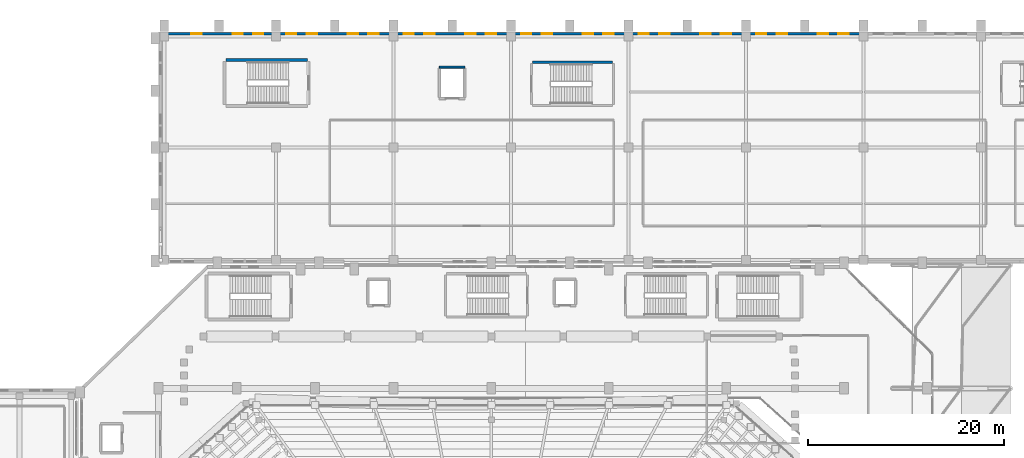
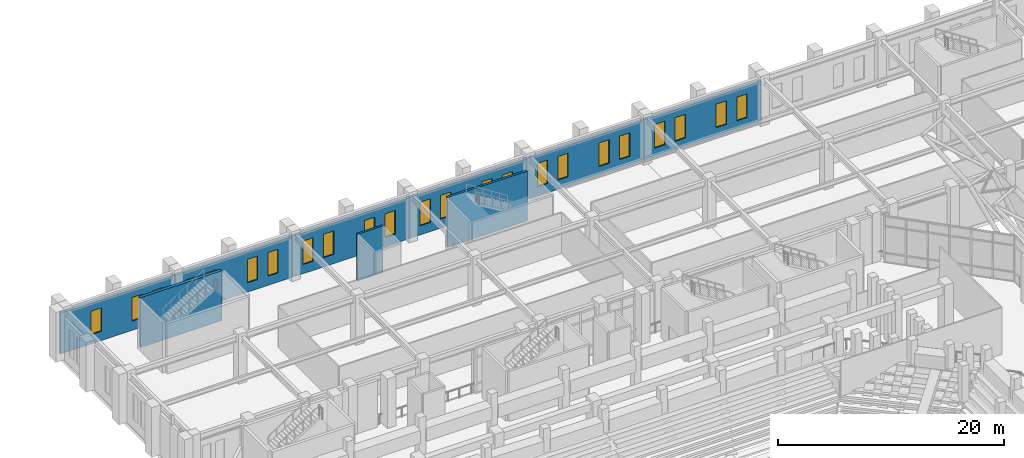
# One storey, part 137 of 159: 23 windows, 9 walls, 23 openings.
"""IFC4 building model written with IfcOpenShell, lengths in metres."""

from ifc_helpers import new_model, si_unit, derived_unit, direction, frame, frame_2d, origin, place, context, subcontext, project, spatial, rectangle, extrude, material, layer, layer_set, type_object, element, fill, save


model = new_model("IFC4")

# Units and contexts
model_context = context("Model", 3, precision=1e-05, world=origin(), true_north=direction((0.0, 1.0)))
body_context = subcontext(model_context, "Body", "Model", "MODEL_VIEW")
ifc_project = project(units=[si_unit("LENGTHUNIT", "METRE"), si_unit("AREAUNIT", "SQUARE_METRE"), si_unit("VOLUMEUNIT", "CUBIC_METRE"), si_unit("PLANEANGLEUNIT", "RADIAN"), si_unit("MASSUNIT", "GRAM", prefix="KILO"), derived_unit("THERMALTRANSMITTANCEUNIT", [(si_unit("MASSUNIT", "GRAM", prefix="KILO"), 1), (si_unit("TIMEUNIT", "SECOND"), -3), (si_unit("THERMODYNAMICTEMPERATUREUNIT", "KELVIN"), -1)])], contexts=[model_context])

# Site, building, storey
site_placement = place(None, origin())
site = spatial("IfcSite", under=ifc_project, at=site_placement, CompositionType="ELEMENT")
building_placement = place(site_placement, origin())
building = spatial("IfcBuilding", under=site, at=building_placement, Name="Valcora Ridge Arena", CompositionType="ELEMENT")
storey_placement = place(building_placement, frame((0.0, 0.0, 6.0)))
storey = spatial("IfcBuildingStorey", under=building, at=storey_placement, Name="L01", CompositionType="ELEMENT", Elevation=6.0)

# Wall, openings, windows
ifc_material_1 = material(Name="Bush-hammered Andean travertine on concrete backup C40/50", Category="masonry")
ifc_layer_1 = layer(ifc_material_1, 0.280029296875, Name="Bush-hammered Andean travertine on concrete backup C40/50")
ifc_layer_set_1 = layer_set([ifc_layer_1], Name="Bush-hammered Andean travertine on concrete backup C40/50")
wall_type_1 = type_object("IfcWallType", Name="TY-WALL-EW-TRV-28-44", PredefinedType="STANDARD", material=ifc_layer_set_1)
wall_1_placement = place(storey_placement, frame((24.219970703125, 131.820068359375, 0.0), z_axis=(0.0, 0.0, 1.0), x_axis=(1.0, 0.0, 0.0)))
wall_1 = element("IfcWall", 1, at=wall_1_placement, inside=storey, type_object=wall_type_1, Name="EW-TRV-28-44 WAL-EW-0136", PredefinedType="STANDARD", context=body_context, shape_type="SweptSolid", body=[
    extrude(rectangle(XDim=11.780029296875, YDim=0.280029296875, at=frame_2d((5.89013671875, 0.0))), origin(), (0.0, 0.0, 1.0), 4.427978515625),
])
opening_1_placement = place(wall_1_placement, frame((3.14990234375, 0.0, 1.0)))
opening_1 = element("IfcOpeningElement", 2, at=opening_1_placement, cuts=wall_1, Name="Opening W-LAN-105X255", PredefinedType="OPENING", context=body_context, shape_type="SweptSolid", body=[
    extrude(rectangle(XDim=1.050048828125, YDim=2.550048828125, at=frame_2d((0.52490234375, 1.27490234375))), frame((0.0, 0.14990234375, 0.0), z_axis=(0.0, -1.0, 0.0), x_axis=(1.0, 0.0, 0.0)), (0.0, 0.0, 1.0), 0.300048828125),
])
opening_2_placement = place(wall_1_placement, frame((7.35009765625, 0.0, 1.0)))
opening_2 = element("IfcOpeningElement", 3, at=opening_2_placement, cuts=wall_1, Name="Opening W-LAN-105X255", PredefinedType="OPENING", context=body_context, shape_type="SweptSolid", body=[
    extrude(rectangle(XDim=1.050048828125, YDim=2.550048828125, at=frame_2d((0.52490234375, 1.27490234375))), frame((0.0, 0.14990234375, 0.0), z_axis=(0.0, -1.0, 0.0), x_axis=(1.0, 0.0, 0.0)), (0.0, 0.0, 1.0), 0.300048828125),
])
opening_3_placement = place(wall_1_placement, frame((9.449951171875, 0.0, 1.0)))
opening_3 = element("IfcOpeningElement", 4, at=opening_3_placement, cuts=wall_1, Name="Opening W-LAN-105X255", PredefinedType="OPENING", context=body_context, shape_type="SweptSolid", body=[
    extrude(rectangle(XDim=1.050048828125, YDim=2.550048828125, at=frame_2d((0.52490234375, 1.27490234375))), frame((0.0, 0.14990234375, 0.0), z_axis=(0.0, -1.0, 0.0), x_axis=(1.0, 0.0, 0.0)), (0.0, 0.0, 1.0), 0.300048828125),
])
ifc_material_2 = material(Name="Low-iron solar-control double glazing SHGC 0.28", Category="glass")
window_type = type_object("IfcWindowType", Name="TY-WINDOW-W-LAN-105X255", PartitioningType="DOUBLE_PANEL_VERTICAL", PredefinedType="WINDOW", material=ifc_material_2)
window_1_placement = place(opening_1_placement, origin())
window_1 = element("IfcWindow", 5, at=window_1_placement, inside=storey, type_object=window_type, Name="W-LAN-105X255 WIN-EX-0404", OverallHeight=2.550048828125, OverallWidth=1.050048828125, PartitioningType="DOUBLE_PANEL_VERTICAL", PredefinedType="WINDOW", context=body_context, shape_type="SweptSolid", body=[
    extrude(rectangle(XDim=1.050048828125, YDim=2.550048828125, at=frame_2d((0.52490234375, 1.27490234375))), frame((0.0, 0.030029296875, 0.0), z_axis=(0.0, -1.0, 0.0), x_axis=(1.0, 0.0, 0.0)), (0.0, 0.0, 1.0), 0.06005859375),
])
fill(opening_1, window_1)
window_2_placement = place(opening_2_placement, origin())
window_2 = element("IfcWindow", 6, at=window_2_placement, inside=storey, type_object=window_type, Name="W-LAN-105X255 WIN-EX-0405", OverallHeight=2.550048828125, OverallWidth=1.050048828125, PartitioningType="DOUBLE_PANEL_VERTICAL", PredefinedType="WINDOW", context=body_context, shape_type="SweptSolid", body=[
    extrude(rectangle(XDim=1.050048828125, YDim=2.550048828125, at=frame_2d((0.52490234375, 1.27490234375))), frame((0.0, 0.030029296875, 0.0), z_axis=(0.0, -1.0, 0.0), x_axis=(1.0, 0.0, 0.0)), (0.0, 0.0, 1.0), 0.06005859375),
])
fill(opening_2, window_2)
window_3_placement = place(opening_3_placement, origin())
window_3 = element("IfcWindow", 7, at=window_3_placement, inside=storey, type_object=window_type, Name="W-LAN-105X255 WIN-EX-0406", OverallHeight=2.550048828125, OverallWidth=1.050048828125, PartitioningType="DOUBLE_PANEL_VERTICAL", PredefinedType="WINDOW", context=body_context, shape_type="SweptSolid", body=[
    extrude(rectangle(XDim=1.050048828125, YDim=2.550048828125, at=frame_2d((0.52490234375, 1.27490234375))), frame((0.0, 0.030029296875, 0.0), z_axis=(0.0, -1.0, 0.0), x_axis=(1.0, 0.0, 0.0)), (0.0, 0.0, 1.0), 0.06005859375),
])
fill(opening_3, window_3)

wall_2_placement = place(storey_placement, frame((36.0, 131.820068359375, 0.0), z_axis=(0.0, 0.0, 1.0), x_axis=(1.0, 0.0, 0.0)))
wall_2 = element("IfcWall", 8, at=wall_2_placement, inside=storey, type_object=wall_type_1, Name="EW-TRV-28-44 WAL-EW-0137", PredefinedType="STANDARD", context=body_context, shape_type="SweptSolid", body=[
    extrude(rectangle(XDim=12.0, YDim=0.280029296875, at=frame_2d((6.0, 0.0))), origin(), (0.0, 0.0, 1.0), 4.427978515625),
])
opening_4_placement = place(wall_2_placement, frame((1.050048828125, 0.0, 1.0)))
opening_4 = element("IfcOpeningElement", 9, at=opening_4_placement, cuts=wall_2, Name="Opening W-LAN-105X255", PredefinedType="OPENING", context=body_context, shape_type="SweptSolid", body=[
    extrude(rectangle(XDim=1.050048828125, YDim=2.550048828125, at=frame_2d((0.52490234375, 1.27490234375))), frame((0.0, 0.14990234375, 0.0), z_axis=(0.0, -1.0, 0.0), x_axis=(1.0, 0.0, 0.0)), (0.0, 0.0, 1.0), 0.300048828125),
])
opening_5_placement = place(wall_2_placement, frame((3.14990234375, 0.0, 1.0)))
opening_5 = element("IfcOpeningElement", 10, at=opening_5_placement, cuts=wall_2, Name="Opening W-LAN-105X255", PredefinedType="OPENING", context=body_context, shape_type="SweptSolid", body=[
    extrude(rectangle(XDim=1.050048828125, YDim=2.550048828125, at=frame_2d((0.52490234375, 1.27490234375))), frame((0.0, 0.14990234375, 0.0), z_axis=(0.0, -1.0, 0.0), x_axis=(1.0, 0.0, 0.0)), (0.0, 0.0, 1.0), 0.300048828125),
])
opening_6_placement = place(wall_2_placement, frame((7.35009765625, 0.0, 1.0)))
opening_6 = element("IfcOpeningElement", 11, at=opening_6_placement, cuts=wall_2, Name="Opening W-LAN-105X255", PredefinedType="OPENING", context=body_context, shape_type="SweptSolid", body=[
    extrude(rectangle(XDim=1.050048828125, YDim=2.550048828125, at=frame_2d((0.52490234375, 1.27490234375))), frame((0.0, 0.14990234375, 0.0), z_axis=(0.0, -1.0, 0.0), x_axis=(1.0, 0.0, 0.0)), (0.0, 0.0, 1.0), 0.300048828125),
])
opening_7_placement = place(wall_2_placement, frame((9.449951171875, 0.0, 1.0)))
opening_7 = element("IfcOpeningElement", 12, at=opening_7_placement, cuts=wall_2, Name="Opening W-LAN-105X255", PredefinedType="OPENING", context=body_context, shape_type="SweptSolid", body=[
    extrude(rectangle(XDim=1.050048828125, YDim=2.550048828125, at=frame_2d((0.52490234375, 1.27490234375))), frame((0.0, 0.14990234375, 0.0), z_axis=(0.0, -1.0, 0.0), x_axis=(1.0, 0.0, 0.0)), (0.0, 0.0, 1.0), 0.300048828125),
])
window_4_placement = place(opening_4_placement, origin())
window_4 = element("IfcWindow", 13, at=window_4_placement, inside=storey, type_object=window_type, Name="W-LAN-105X255 WIN-EX-0407", OverallHeight=2.550048828125, OverallWidth=1.050048828125, PartitioningType="DOUBLE_PANEL_VERTICAL", PredefinedType="WINDOW", context=body_context, shape_type="SweptSolid", body=[
    extrude(rectangle(XDim=1.050048828125, YDim=2.550048828125, at=frame_2d((0.52490234375, 1.27490234375))), frame((0.0, 0.030029296875, 0.0), z_axis=(0.0, -1.0, 0.0), x_axis=(1.0, 0.0, 0.0)), (0.0, 0.0, 1.0), 0.06005859375),
])
fill(opening_4, window_4)
window_5_placement = place(opening_5_placement, origin())
window_5 = element("IfcWindow", 14, at=window_5_placement, inside=storey, type_object=window_type, Name="W-LAN-105X255 WIN-EX-0408", OverallHeight=2.550048828125, OverallWidth=1.050048828125, PartitioningType="DOUBLE_PANEL_VERTICAL", PredefinedType="WINDOW", context=body_context, shape_type="SweptSolid", body=[
    extrude(rectangle(XDim=1.050048828125, YDim=2.550048828125, at=frame_2d((0.52490234375, 1.27490234375))), frame((0.0, 0.030029296875, 0.0), z_axis=(0.0, -1.0, 0.0), x_axis=(1.0, 0.0, 0.0)), (0.0, 0.0, 1.0), 0.06005859375),
])
fill(opening_5, window_5)
window_6_placement = place(opening_6_placement, origin())
window_6 = element("IfcWindow", 15, at=window_6_placement, inside=storey, type_object=window_type, Name="W-LAN-105X255 WIN-EX-0409", OverallHeight=2.550048828125, OverallWidth=1.050048828125, PartitioningType="DOUBLE_PANEL_VERTICAL", PredefinedType="WINDOW", context=body_context, shape_type="SweptSolid", body=[
    extrude(rectangle(XDim=1.050048828125, YDim=2.550048828125, at=frame_2d((0.52490234375, 1.27490234375))), frame((0.0, 0.030029296875, 0.0), z_axis=(0.0, -1.0, 0.0), x_axis=(1.0, 0.0, 0.0)), (0.0, 0.0, 1.0), 0.06005859375),
])
fill(opening_6, window_6)
window_7_placement = place(opening_7_placement, origin())
window_7 = element("IfcWindow", 16, at=window_7_placement, inside=storey, type_object=window_type, Name="W-LAN-105X255 WIN-EX-0410", OverallHeight=2.550048828125, OverallWidth=1.050048828125, PartitioningType="DOUBLE_PANEL_VERTICAL", PredefinedType="WINDOW", context=body_context, shape_type="SweptSolid", body=[
    extrude(rectangle(XDim=1.050048828125, YDim=2.550048828125, at=frame_2d((0.52490234375, 1.27490234375))), frame((0.0, 0.030029296875, 0.0), z_axis=(0.0, -1.0, 0.0), x_axis=(1.0, 0.0, 0.0)), (0.0, 0.0, 1.0), 0.06005859375),
])
fill(opening_7, window_7)

wall_3_placement = place(storey_placement, frame((48.0, 131.820068359375, 0.0), z_axis=(0.0, 0.0, 1.0), x_axis=(1.0, 0.0, 0.0)))
wall_3 = element("IfcWall", 17, at=wall_3_placement, inside=storey, type_object=wall_type_1, Name="EW-TRV-28-44 WAL-EW-0138", PredefinedType="STANDARD", context=body_context, shape_type="SweptSolid", body=[
    extrude(rectangle(XDim=12.0, YDim=0.280029296875, at=frame_2d((6.0, 0.0))), origin(), (0.0, 0.0, 1.0), 4.427978515625),
])
opening_8_placement = place(wall_3_placement, frame((1.050048828125, 0.0, 1.0)))
opening_8 = element("IfcOpeningElement", 18, at=opening_8_placement, cuts=wall_3, Name="Opening W-LAN-105X255", PredefinedType="OPENING", context=body_context, shape_type="SweptSolid", body=[
    extrude(rectangle(XDim=1.050048828125, YDim=2.550048828125, at=frame_2d((0.52490234375, 1.27490234375))), frame((0.0, 0.14990234375, 0.0), z_axis=(0.0, -1.0, 0.0), x_axis=(1.0, 0.0, 0.0)), (0.0, 0.0, 1.0), 0.300048828125),
])
opening_9_placement = place(wall_3_placement, frame((3.14990234375, 0.0, 1.0)))
opening_9 = element("IfcOpeningElement", 19, at=opening_9_placement, cuts=wall_3, Name="Opening W-LAN-105X255", PredefinedType="OPENING", context=body_context, shape_type="SweptSolid", body=[
    extrude(rectangle(XDim=1.050048828125, YDim=2.550048828125, at=frame_2d((0.52490234375, 1.27490234375))), frame((0.0, 0.14990234375, 0.0), z_axis=(0.0, -1.0, 0.0), x_axis=(1.0, 0.0, 0.0)), (0.0, 0.0, 1.0), 0.300048828125),
])
opening_10_placement = place(wall_3_placement, frame((7.35009765625, 0.0, 1.0)))
opening_10 = element("IfcOpeningElement", 20, at=opening_10_placement, cuts=wall_3, Name="Opening W-LAN-105X255", PredefinedType="OPENING", context=body_context, shape_type="SweptSolid", body=[
    extrude(rectangle(XDim=1.050048828125, YDim=2.550048828125, at=frame_2d((0.52490234375, 1.27490234375))), frame((0.0, 0.14990234375, 0.0), z_axis=(0.0, -1.0, 0.0), x_axis=(1.0, 0.0, 0.0)), (0.0, 0.0, 1.0), 0.300048828125),
])
opening_11_placement = place(wall_3_placement, frame((9.449951171875, 0.0, 1.0)))
opening_11 = element("IfcOpeningElement", 21, at=opening_11_placement, cuts=wall_3, Name="Opening W-LAN-105X255", PredefinedType="OPENING", context=body_context, shape_type="SweptSolid", body=[
    extrude(rectangle(XDim=1.050048828125, YDim=2.550048828125, at=frame_2d((0.52490234375, 1.27490234375))), frame((0.0, 0.14990234375, 0.0), z_axis=(0.0, -1.0, 0.0), x_axis=(1.0, 0.0, 0.0)), (0.0, 0.0, 1.0), 0.300048828125),
])
window_8_placement = place(opening_8_placement, origin())
window_8 = element("IfcWindow", 22, at=window_8_placement, inside=storey, type_object=window_type, Name="W-LAN-105X255 WIN-EX-0411", OverallHeight=2.550048828125, OverallWidth=1.050048828125, PartitioningType="DOUBLE_PANEL_VERTICAL", PredefinedType="WINDOW", context=body_context, shape_type="SweptSolid", body=[
    extrude(rectangle(XDim=1.050048828125, YDim=2.550048828125, at=frame_2d((0.52490234375, 1.27490234375))), frame((0.0, 0.030029296875, 0.0), z_axis=(0.0, -1.0, 0.0), x_axis=(1.0, 0.0, 0.0)), (0.0, 0.0, 1.0), 0.06005859375),
])
fill(opening_8, window_8)
window_9_placement = place(opening_9_placement, origin())
window_9 = element("IfcWindow", 23, at=window_9_placement, inside=storey, type_object=window_type, Name="W-LAN-105X255 WIN-EX-0412", OverallHeight=2.550048828125, OverallWidth=1.050048828125, PartitioningType="DOUBLE_PANEL_VERTICAL", PredefinedType="WINDOW", context=body_context, shape_type="SweptSolid", body=[
    extrude(rectangle(XDim=1.050048828125, YDim=2.550048828125, at=frame_2d((0.52490234375, 1.27490234375))), frame((0.0, 0.030029296875, 0.0), z_axis=(0.0, -1.0, 0.0), x_axis=(1.0, 0.0, 0.0)), (0.0, 0.0, 1.0), 0.06005859375),
])
fill(opening_9, window_9)
window_10_placement = place(opening_10_placement, origin())
window_10 = element("IfcWindow", 24, at=window_10_placement, inside=storey, type_object=window_type, Name="W-LAN-105X255 WIN-EX-0413", OverallHeight=2.550048828125, OverallWidth=1.050048828125, PartitioningType="DOUBLE_PANEL_VERTICAL", PredefinedType="WINDOW", context=body_context, shape_type="SweptSolid", body=[
    extrude(rectangle(XDim=1.050048828125, YDim=2.550048828125, at=frame_2d((0.52490234375, 1.27490234375))), frame((0.0, 0.030029296875, 0.0), z_axis=(0.0, -1.0, 0.0), x_axis=(1.0, 0.0, 0.0)), (0.0, 0.0, 1.0), 0.06005859375),
])
fill(opening_10, window_10)
window_11_placement = place(opening_11_placement, origin())
window_11 = element("IfcWindow", 25, at=window_11_placement, inside=storey, type_object=window_type, Name="W-LAN-105X255 WIN-EX-0414", OverallHeight=2.550048828125, OverallWidth=1.050048828125, PartitioningType="DOUBLE_PANEL_VERTICAL", PredefinedType="WINDOW", context=body_context, shape_type="SweptSolid", body=[
    extrude(rectangle(XDim=1.050048828125, YDim=2.550048828125, at=frame_2d((0.52490234375, 1.27490234375))), frame((0.0, 0.030029296875, 0.0), z_axis=(0.0, -1.0, 0.0), x_axis=(1.0, 0.0, 0.0)), (0.0, 0.0, 1.0), 0.06005859375),
])
fill(opening_11, window_11)

wall_4_placement = place(storey_placement, frame((60.0, 131.820068359375, 0.0), z_axis=(0.0, 0.0, 1.0), x_axis=(1.0, 0.0, 0.0)))
wall_4 = element("IfcWall", 26, at=wall_4_placement, inside=storey, type_object=wall_type_1, Name="EW-TRV-28-44 WAL-EW-0139", PredefinedType="STANDARD", context=body_context, shape_type="SweptSolid", body=[
    extrude(rectangle(XDim=12.0, YDim=0.280029296875, at=frame_2d((6.0, 0.0))), origin(), (0.0, 0.0, 1.0), 4.427978515625),
])
opening_12_placement = place(wall_4_placement, frame((1.050048828125, 0.0, 1.0)))
opening_12 = element("IfcOpeningElement", 27, at=opening_12_placement, cuts=wall_4, Name="Opening W-LAN-105X255", PredefinedType="OPENING", context=body_context, shape_type="SweptSolid", body=[
    extrude(rectangle(XDim=1.050048828125, YDim=2.550048828125, at=frame_2d((0.52490234375, 1.27490234375))), frame((0.0, 0.14990234375, 0.0), z_axis=(0.0, -1.0, 0.0), x_axis=(1.0, 0.0, 0.0)), (0.0, 0.0, 1.0), 0.300048828125),
])
opening_13_placement = place(wall_4_placement, frame((3.14990234375, 0.0, 1.0)))
opening_13 = element("IfcOpeningElement", 28, at=opening_13_placement, cuts=wall_4, Name="Opening W-LAN-105X255", PredefinedType="OPENING", context=body_context, shape_type="SweptSolid", body=[
    extrude(rectangle(XDim=1.050048828125, YDim=2.550048828125, at=frame_2d((0.52490234375, 1.27490234375))), frame((0.0, 0.14990234375, 0.0), z_axis=(0.0, -1.0, 0.0), x_axis=(1.0, 0.0, 0.0)), (0.0, 0.0, 1.0), 0.300048828125),
])
opening_14_placement = place(wall_4_placement, frame((7.35009765625, 0.0, 1.0)))
opening_14 = element("IfcOpeningElement", 29, at=opening_14_placement, cuts=wall_4, Name="Opening W-LAN-105X255", PredefinedType="OPENING", context=body_context, shape_type="SweptSolid", body=[
    extrude(rectangle(XDim=1.050048828125, YDim=2.550048828125, at=frame_2d((0.52490234375, 1.27490234375))), frame((0.0, 0.14990234375, 0.0), z_axis=(0.0, -1.0, 0.0), x_axis=(1.0, 0.0, 0.0)), (0.0, 0.0, 1.0), 0.300048828125),
])
opening_15_placement = place(wall_4_placement, frame((9.449951171875, 0.0, 1.0)))
opening_15 = element("IfcOpeningElement", 30, at=opening_15_placement, cuts=wall_4, Name="Opening W-LAN-105X255", PredefinedType="OPENING", context=body_context, shape_type="SweptSolid", body=[
    extrude(rectangle(XDim=1.050048828125, YDim=2.550048828125, at=frame_2d((0.52490234375, 1.27490234375))), frame((0.0, 0.14990234375, 0.0), z_axis=(0.0, -1.0, 0.0), x_axis=(1.0, 0.0, 0.0)), (0.0, 0.0, 1.0), 0.300048828125),
])
window_12_placement = place(opening_12_placement, origin())
window_12 = element("IfcWindow", 31, at=window_12_placement, inside=storey, type_object=window_type, Name="W-LAN-105X255 WIN-EX-0415", OverallHeight=2.550048828125, OverallWidth=1.050048828125, PartitioningType="DOUBLE_PANEL_VERTICAL", PredefinedType="WINDOW", context=body_context, shape_type="SweptSolid", body=[
    extrude(rectangle(XDim=1.050048828125, YDim=2.550048828125, at=frame_2d((0.52490234375, 1.27490234375))), frame((0.0, 0.030029296875, 0.0), z_axis=(0.0, -1.0, 0.0), x_axis=(1.0, 0.0, 0.0)), (0.0, 0.0, 1.0), 0.06005859375),
])
fill(opening_12, window_12)
window_13_placement = place(opening_13_placement, origin())
window_13 = element("IfcWindow", 32, at=window_13_placement, inside=storey, type_object=window_type, Name="W-LAN-105X255 WIN-EX-0416", OverallHeight=2.550048828125, OverallWidth=1.050048828125, PartitioningType="DOUBLE_PANEL_VERTICAL", PredefinedType="WINDOW", context=body_context, shape_type="SweptSolid", body=[
    extrude(rectangle(XDim=1.050048828125, YDim=2.550048828125, at=frame_2d((0.52490234375, 1.27490234375))), frame((0.0, 0.030029296875, 0.0), z_axis=(0.0, -1.0, 0.0), x_axis=(1.0, 0.0, 0.0)), (0.0, 0.0, 1.0), 0.06005859375),
])
fill(opening_13, window_13)
window_14_placement = place(opening_14_placement, origin())
window_14 = element("IfcWindow", 33, at=window_14_placement, inside=storey, type_object=window_type, Name="W-LAN-105X255 WIN-EX-0417", OverallHeight=2.550048828125, OverallWidth=1.050048828125, PartitioningType="DOUBLE_PANEL_VERTICAL", PredefinedType="WINDOW", context=body_context, shape_type="SweptSolid", body=[
    extrude(rectangle(XDim=1.050048828125, YDim=2.550048828125, at=frame_2d((0.52490234375, 1.27490234375))), frame((0.0, 0.030029296875, 0.0), z_axis=(0.0, -1.0, 0.0), x_axis=(1.0, 0.0, 0.0)), (0.0, 0.0, 1.0), 0.06005859375),
])
fill(opening_14, window_14)
window_15_placement = place(opening_15_placement, origin())
window_15 = element("IfcWindow", 34, at=window_15_placement, inside=storey, type_object=window_type, Name="W-LAN-105X255 WIN-EX-0418", OverallHeight=2.550048828125, OverallWidth=1.050048828125, PartitioningType="DOUBLE_PANEL_VERTICAL", PredefinedType="WINDOW", context=body_context, shape_type="SweptSolid", body=[
    extrude(rectangle(XDim=1.050048828125, YDim=2.550048828125, at=frame_2d((0.52490234375, 1.27490234375))), frame((0.0, 0.030029296875, 0.0), z_axis=(0.0, -1.0, 0.0), x_axis=(1.0, 0.0, 0.0)), (0.0, 0.0, 1.0), 0.06005859375),
])
fill(opening_15, window_15)

wall_5_placement = place(storey_placement, frame((72.0, 131.820068359375, 0.0), z_axis=(0.0, 0.0, 1.0), x_axis=(1.0, 0.0, 0.0)))
wall_5 = element("IfcWall", 35, at=wall_5_placement, inside=storey, type_object=wall_type_1, Name="EW-TRV-28-44 WAL-EW-0140", PredefinedType="STANDARD", context=body_context, shape_type="SweptSolid", body=[
    extrude(rectangle(XDim=12.0, YDim=0.280029296875, at=frame_2d((6.0, 0.0))), origin(), (0.0, 0.0, 1.0), 4.427978515625),
])
opening_16_placement = place(wall_5_placement, frame((1.050048828125, 0.0, 1.0)))
opening_16 = element("IfcOpeningElement", 36, at=opening_16_placement, cuts=wall_5, Name="Opening W-LAN-105X255", PredefinedType="OPENING", context=body_context, shape_type="SweptSolid", body=[
    extrude(rectangle(XDim=1.050048828125, YDim=2.550048828125, at=frame_2d((0.52490234375, 1.27490234375))), frame((0.0, 0.14990234375, 0.0), z_axis=(0.0, -1.0, 0.0), x_axis=(1.0, 0.0, 0.0)), (0.0, 0.0, 1.0), 0.300048828125),
])
opening_17_placement = place(wall_5_placement, frame((3.14990234375, 0.0, 1.0)))
opening_17 = element("IfcOpeningElement", 37, at=opening_17_placement, cuts=wall_5, Name="Opening W-LAN-105X255", PredefinedType="OPENING", context=body_context, shape_type="SweptSolid", body=[
    extrude(rectangle(XDim=1.050048828125, YDim=2.550048828125, at=frame_2d((0.52490234375, 1.27490234375))), frame((0.0, 0.14990234375, 0.0), z_axis=(0.0, -1.0, 0.0), x_axis=(1.0, 0.0, 0.0)), (0.0, 0.0, 1.0), 0.300048828125),
])
opening_18_placement = place(wall_5_placement, frame((7.35009765625, 0.0, 1.0)))
opening_18 = element("IfcOpeningElement", 38, at=opening_18_placement, cuts=wall_5, Name="Opening W-LAN-105X255", PredefinedType="OPENING", context=body_context, shape_type="SweptSolid", body=[
    extrude(rectangle(XDim=1.050048828125, YDim=2.550048828125, at=frame_2d((0.52490234375, 1.27490234375))), frame((0.0, 0.14990234375, 0.0), z_axis=(0.0, -1.0, 0.0), x_axis=(1.0, 0.0, 0.0)), (0.0, 0.0, 1.0), 0.300048828125),
])
opening_19_placement = place(wall_5_placement, frame((9.449951171875, 0.0, 1.0)))
opening_19 = element("IfcOpeningElement", 39, at=opening_19_placement, cuts=wall_5, Name="Opening W-LAN-105X255", PredefinedType="OPENING", context=body_context, shape_type="SweptSolid", body=[
    extrude(rectangle(XDim=1.050048828125, YDim=2.550048828125, at=frame_2d((0.52490234375, 1.27490234375))), frame((0.0, 0.14990234375, 0.0), z_axis=(0.0, -1.0, 0.0), x_axis=(1.0, 0.0, 0.0)), (0.0, 0.0, 1.0), 0.300048828125),
])
window_16_placement = place(opening_16_placement, origin())
window_16 = element("IfcWindow", 40, at=window_16_placement, inside=storey, type_object=window_type, Name="W-LAN-105X255 WIN-EX-0419", OverallHeight=2.550048828125, OverallWidth=1.050048828125, PartitioningType="DOUBLE_PANEL_VERTICAL", PredefinedType="WINDOW", context=body_context, shape_type="SweptSolid", body=[
    extrude(rectangle(XDim=1.050048828125, YDim=2.550048828125, at=frame_2d((0.52490234375, 1.27490234375))), frame((0.0, 0.030029296875, 0.0), z_axis=(0.0, -1.0, 0.0), x_axis=(1.0, 0.0, 0.0)), (0.0, 0.0, 1.0), 0.06005859375),
])
fill(opening_16, window_16)
window_17_placement = place(opening_17_placement, origin())
window_17 = element("IfcWindow", 41, at=window_17_placement, inside=storey, type_object=window_type, Name="W-LAN-105X255 WIN-EX-0420", OverallHeight=2.550048828125, OverallWidth=1.050048828125, PartitioningType="DOUBLE_PANEL_VERTICAL", PredefinedType="WINDOW", context=body_context, shape_type="SweptSolid", body=[
    extrude(rectangle(XDim=1.050048828125, YDim=2.550048828125, at=frame_2d((0.52490234375, 1.27490234375))), frame((0.0, 0.030029296875, 0.0), z_axis=(0.0, -1.0, 0.0), x_axis=(1.0, 0.0, 0.0)), (0.0, 0.0, 1.0), 0.06005859375),
])
fill(opening_17, window_17)
window_18_placement = place(opening_18_placement, origin())
window_18 = element("IfcWindow", 42, at=window_18_placement, inside=storey, type_object=window_type, Name="W-LAN-105X255 WIN-EX-0421", OverallHeight=2.550048828125, OverallWidth=1.050048828125, PartitioningType="DOUBLE_PANEL_VERTICAL", PredefinedType="WINDOW", context=body_context, shape_type="SweptSolid", body=[
    extrude(rectangle(XDim=1.050048828125, YDim=2.550048828125, at=frame_2d((0.52490234375, 1.27490234375))), frame((0.0, 0.030029296875, 0.0), z_axis=(0.0, -1.0, 0.0), x_axis=(1.0, 0.0, 0.0)), (0.0, 0.0, 1.0), 0.06005859375),
])
fill(opening_18, window_18)
window_19_placement = place(opening_19_placement, origin())
window_19 = element("IfcWindow", 43, at=window_19_placement, inside=storey, type_object=window_type, Name="W-LAN-105X255 WIN-EX-0422", OverallHeight=2.550048828125, OverallWidth=1.050048828125, PartitioningType="DOUBLE_PANEL_VERTICAL", PredefinedType="WINDOW", context=body_context, shape_type="SweptSolid", body=[
    extrude(rectangle(XDim=1.050048828125, YDim=2.550048828125, at=frame_2d((0.52490234375, 1.27490234375))), frame((0.0, 0.030029296875, 0.0), z_axis=(0.0, -1.0, 0.0), x_axis=(1.0, 0.0, 0.0)), (0.0, 0.0, 1.0), 0.06005859375),
])
fill(opening_19, window_19)

wall_6_placement = place(storey_placement, frame((84.0, 131.820068359375, 0.0), z_axis=(0.0, 0.0, 1.0), x_axis=(1.0, 0.0, 0.0)))
wall_6 = element("IfcWall", 44, at=wall_6_placement, inside=storey, type_object=wall_type_1, Name="EW-TRV-28-44 WAL-EW-0141", PredefinedType="STANDARD", context=body_context, shape_type="SweptSolid", body=[
    extrude(rectangle(XDim=12.0, YDim=0.280029296875, at=frame_2d((6.0, 0.0))), origin(), (0.0, 0.0, 1.0), 4.427978515625),
])
opening_20_placement = place(wall_6_placement, frame((1.050048828125, 0.0, 1.0)))
opening_20 = element("IfcOpeningElement", 45, at=opening_20_placement, cuts=wall_6, Name="Opening W-LAN-105X255", PredefinedType="OPENING", context=body_context, shape_type="SweptSolid", body=[
    extrude(rectangle(XDim=1.050048828125, YDim=2.550048828125, at=frame_2d((0.52490234375, 1.27490234375))), frame((0.0, 0.14990234375, 0.0), z_axis=(0.0, -1.0, 0.0), x_axis=(1.0, 0.0, 0.0)), (0.0, 0.0, 1.0), 0.300048828125),
])
opening_21_placement = place(wall_6_placement, frame((3.14990234375, 0.0, 1.0)))
opening_21 = element("IfcOpeningElement", 46, at=opening_21_placement, cuts=wall_6, Name="Opening W-LAN-105X255", PredefinedType="OPENING", context=body_context, shape_type="SweptSolid", body=[
    extrude(rectangle(XDim=1.050048828125, YDim=2.550048828125, at=frame_2d((0.52490234375, 1.27490234375))), frame((0.0, 0.14990234375, 0.0), z_axis=(0.0, -1.0, 0.0), x_axis=(1.0, 0.0, 0.0)), (0.0, 0.0, 1.0), 0.300048828125),
])
opening_22_placement = place(wall_6_placement, frame((7.35009765625, 0.0, 1.0)))
opening_22 = element("IfcOpeningElement", 47, at=opening_22_placement, cuts=wall_6, Name="Opening W-LAN-105X255", PredefinedType="OPENING", context=body_context, shape_type="SweptSolid", body=[
    extrude(rectangle(XDim=1.050048828125, YDim=2.550048828125, at=frame_2d((0.52490234375, 1.27490234375))), frame((0.0, 0.14990234375, 0.0), z_axis=(0.0, -1.0, 0.0), x_axis=(1.0, 0.0, 0.0)), (0.0, 0.0, 1.0), 0.300048828125),
])
opening_23_placement = place(wall_6_placement, frame((9.449951171875, 0.0, 1.0)))
opening_23 = element("IfcOpeningElement", 48, at=opening_23_placement, cuts=wall_6, Name="Opening W-LAN-105X255", PredefinedType="OPENING", context=body_context, shape_type="SweptSolid", body=[
    extrude(rectangle(XDim=1.050048828125, YDim=2.550048828125, at=frame_2d((0.52490234375, 1.27490234375))), frame((0.0, 0.14990234375, 0.0), z_axis=(0.0, -1.0, 0.0), x_axis=(1.0, 0.0, 0.0)), (0.0, 0.0, 1.0), 0.300048828125),
])
window_20_placement = place(opening_20_placement, origin())
window_20 = element("IfcWindow", 49, at=window_20_placement, inside=storey, type_object=window_type, Name="W-LAN-105X255 WIN-EX-0423", OverallHeight=2.550048828125, OverallWidth=1.050048828125, PartitioningType="DOUBLE_PANEL_VERTICAL", PredefinedType="WINDOW", context=body_context, shape_type="SweptSolid", body=[
    extrude(rectangle(XDim=1.050048828125, YDim=2.550048828125, at=frame_2d((0.52490234375, 1.27490234375))), frame((0.0, 0.030029296875, 0.0), z_axis=(0.0, -1.0, 0.0), x_axis=(1.0, 0.0, 0.0)), (0.0, 0.0, 1.0), 0.06005859375),
])
fill(opening_20, window_20)
window_21_placement = place(opening_21_placement, origin())
window_21 = element("IfcWindow", 50, at=window_21_placement, inside=storey, type_object=window_type, Name="W-LAN-105X255 WIN-EX-0424", OverallHeight=2.550048828125, OverallWidth=1.050048828125, PartitioningType="DOUBLE_PANEL_VERTICAL", PredefinedType="WINDOW", context=body_context, shape_type="SweptSolid", body=[
    extrude(rectangle(XDim=1.050048828125, YDim=2.550048828125, at=frame_2d((0.52490234375, 1.27490234375))), frame((0.0, 0.030029296875, 0.0), z_axis=(0.0, -1.0, 0.0), x_axis=(1.0, 0.0, 0.0)), (0.0, 0.0, 1.0), 0.06005859375),
])
fill(opening_21, window_21)
window_22_placement = place(opening_22_placement, origin())
window_22 = element("IfcWindow", 51, at=window_22_placement, inside=storey, type_object=window_type, Name="W-LAN-105X255 WIN-EX-0425", OverallHeight=2.550048828125, OverallWidth=1.050048828125, PartitioningType="DOUBLE_PANEL_VERTICAL", PredefinedType="WINDOW", context=body_context, shape_type="SweptSolid", body=[
    extrude(rectangle(XDim=1.050048828125, YDim=2.550048828125, at=frame_2d((0.52490234375, 1.27490234375))), frame((0.0, 0.030029296875, 0.0), z_axis=(0.0, -1.0, 0.0), x_axis=(1.0, 0.0, 0.0)), (0.0, 0.0, 1.0), 0.06005859375),
])
fill(opening_22, window_22)
window_23_placement = place(opening_23_placement, origin())
window_23 = element("IfcWindow", 52, at=window_23_placement, inside=storey, type_object=window_type, Name="W-LAN-105X255 WIN-EX-0426", OverallHeight=2.550048828125, OverallWidth=1.050048828125, PartitioningType="DOUBLE_PANEL_VERTICAL", PredefinedType="WINDOW", context=body_context, shape_type="SweptSolid", body=[
    extrude(rectangle(XDim=1.050048828125, YDim=2.550048828125, at=frame_2d((0.52490234375, 1.27490234375))), frame((0.0, 0.030029296875, 0.0), z_axis=(0.0, -1.0, 0.0), x_axis=(1.0, 0.0, 0.0)), (0.0, 0.0, 1.0), 0.06005859375),
])
fill(opening_23, window_23)

# Walls
ifc_material_3 = material(Name="Concrete C40/50", Category="concrete")
ifc_layer_2 = layer(ifc_material_3, 0.199951171875, Name="Concrete C40/50")
ifc_layer_set_2 = layer_set([ifc_layer_2], Name="Concrete C40/50")
wall_type_2 = type_object("IfcWallType", Name="TY-WALL-IW-SHF-200", PredefinedType="STANDARD", material=ifc_layer_set_2)
wall_7_placement = place(storey_placement, frame((52.699951171875, 128.39990234375, 0.0), z_axis=(0.0, 0.0, 1.0), x_axis=(1.0, 0.0, 0.0)))
element("IfcWall", 53, at=wall_7_placement, inside=storey, type_object=wall_type_2, Name="IW-SHF-200 WAL-SH-0254", PredefinedType="STANDARD", context=body_context, shape_type="SweptSolid", body=[
    extrude(rectangle(XDim=2.60009765625, YDim=0.199951171875, at=frame_2d((1.300048828125, 0.0))), origin(), (0.0, 0.0, 1.0), 5.0400390625),
])
ifc_material_4 = material(Name="Concrete C45/55", Category="concrete")
ifc_layer_3 = layer(ifc_material_4, 0.300048828125, Name="Concrete C45/55")
ifc_layer_set_3 = layer_set([ifc_layer_3], Name="Concrete C45/55")
wall_type_3 = type_object("IfcWallType", Name="TY-WALL-SW-C300-L", PredefinedType="SHEAR", material=ifc_layer_set_3)
wall_8_placement = place(storey_placement, frame((30.8798828125, 129.14990234375, 0.0), z_axis=(0.0, 0.0, 1.0), x_axis=(1.0, 0.0, 0.0)))
element("IfcWall", 54, at=wall_8_placement, inside=storey, type_object=wall_type_3, Name="SW-C300-L WAL-CR-0186", PredefinedType="SHEAR", context=body_context, shape_type="SweptSolid", body=[
    extrude(rectangle(XDim=8.320068359375, YDim=0.300048828125, at=frame_2d((4.16015625, 0.0))), origin(), (0.0, 0.0, 1.0), 5.39990234375),
])
ifc_material_5 = material(Name="Fire-resisting reinforced concrete enclosure C40/50 200 mm", Category="concrete")
ifc_layer_4 = layer(ifc_material_5, 0.219970703125, Name="Fire-resisting reinforced concrete enclosure C40/50 200 mm")
ifc_layer_set_4 = layer_set([ifc_layer_4], Name="Fire-resisting reinforced concrete enclosure C40/50 200 mm")
wall_type_4 = type_object("IfcWallType", Name="TY-WALL-SW-ES-220", PredefinedType="SHEAR", material=ifc_layer_set_4)
wall_9_placement = place(storey_placement, frame((62.199951171875, 128.909912109375, 0.0), z_axis=(0.0, 0.0, 1.0), x_axis=(1.0, 0.0, 0.0)))
element("IfcWall", 55, at=wall_9_placement, inside=storey, type_object=wall_type_4, Name="SW-ES-220 WAL-ES-0174", PredefinedType="SHEAR", context=body_context, shape_type="SweptSolid", body=[
    extrude(rectangle(XDim=8.16015625, YDim=0.219970703125, at=frame_2d((4.080078125, 0.0))), origin(), (0.0, 0.0, 1.0), 5.39990234375),
])

save(model, "model.ifc")
